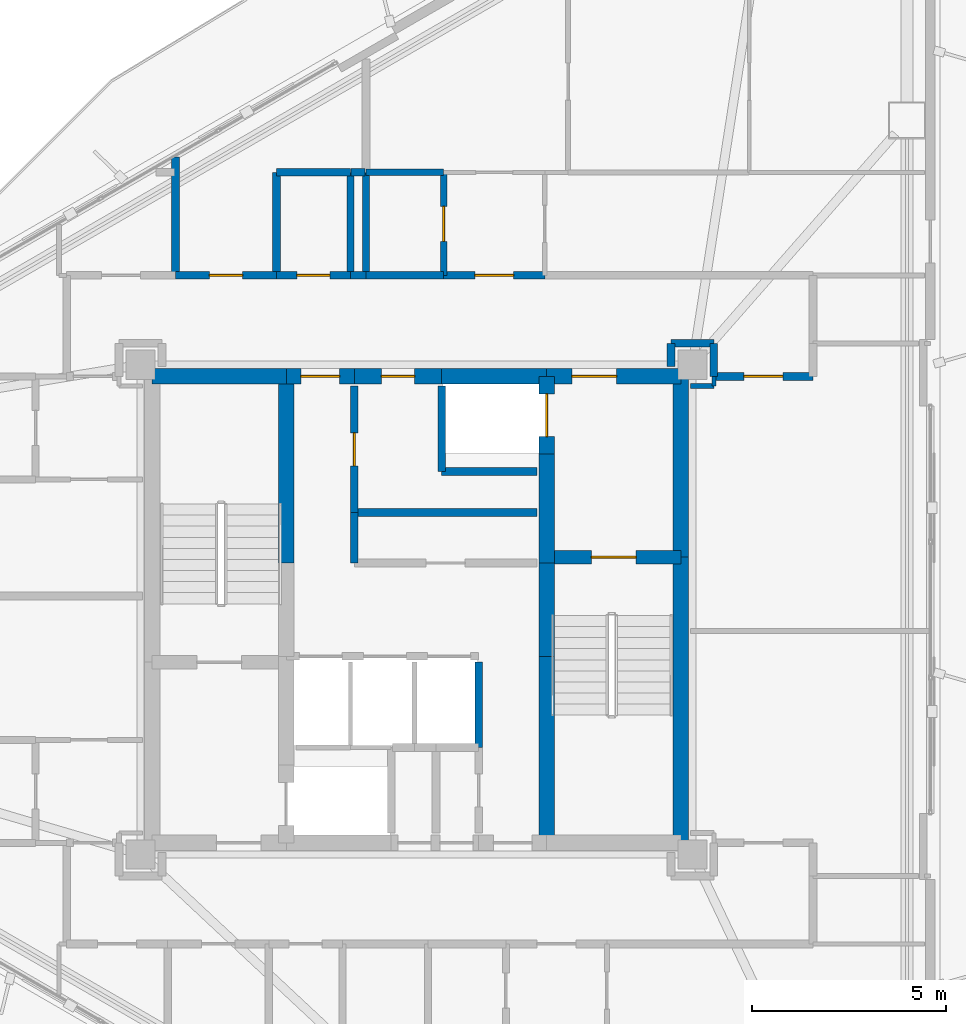
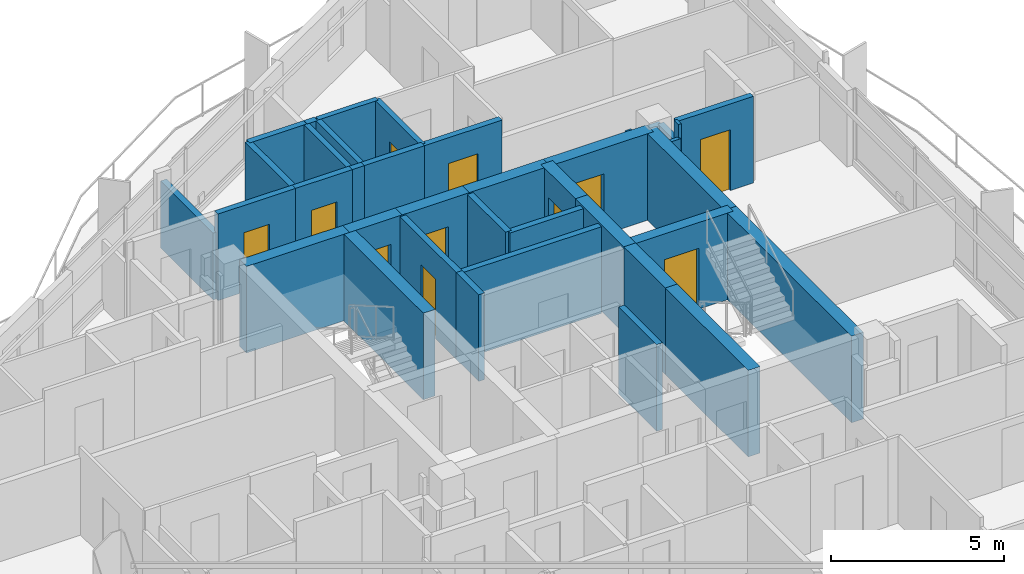
# One storey, part 15 of 19: 38 walls, 11 doors, 11 openings.
"""IFC4 building model written with IfcOpenShell, lengths in metres."""

from ifc_helpers import new_model, si_unit, direction, frame, frame_2d, origin, place, context, subcontext, project, spatial, rectangle, extrude, material, layer, layer_set, type_object, element, fill, save


model = new_model("IFC4")

# Units and contexts
model_context = context("Model", 3, precision=1e-05, world=origin(), true_north=direction((0.0, 1.0)))
body_context = subcontext(model_context, "Body", "Model", "MODEL_VIEW")
ifc_project = project(units=[si_unit("LENGTHUNIT", "METRE"), si_unit("AREAUNIT", "SQUARE_METRE"), si_unit("VOLUMEUNIT", "CUBIC_METRE"), si_unit("PLANEANGLEUNIT", "RADIAN"), si_unit("MASSUNIT", "GRAM", prefix="KILO")], contexts=[model_context])

# Site, building, storey
site_placement = place(None, origin())
site = spatial("IfcSite", under=ifc_project, at=site_placement, CompositionType="ELEMENT")
building_placement = place(site_placement, origin())
building = spatial("IfcBuilding", under=site, at=building_placement, Name="Mersakhor Tower and Convention Hall", CompositionType="ELEMENT")
storey_placement = place(building_placement, frame((0.0, 0.0, 144.300048828125)))
storey = spatial("IfcBuildingStorey", under=building, at=storey_placement, Name="L40", CompositionType="ELEMENT", Elevation=144.300048828125)

# Wall, opening, door
ifc_material_1 = material(Name="Moisture-resistant acoustic drywall studwork", Category="other")
ifc_layer_1 = layer(ifc_material_1, 0.175048828125)
ifc_layer_set_1 = layer_set([ifc_layer_1], Name="Moisture-resistant acoustic drywall studwork")
wall_type_1 = type_object("IfcWallType", Name="WL-PLM-175", PredefinedType="PLUMBINGWALL", material=ifc_layer_set_1)
wall_1_placement = place(storey_placement, frame((29.699951171875, 35.35009765625, 0.0), z_axis=(0.0, 0.0, 1.0), x_axis=(0.0, 1.0, 0.0)))
wall_1 = element("IfcWall", 1, at=wall_1_placement, inside=storey, type_object=wall_type_1, Name="L40 Interior Partition Wall P-054", PredefinedType="PLUMBINGWALL", context=body_context, shape_type="SweptSolid", body=[
    extrude(rectangle(XDim=2.64990234375, YDim=0.175048828125, at=frame_2d((1.324951171875, 0.0))), origin(), (0.0, 0.0, 1.0), 3.06005859375),
])
opening_1_placement = place(wall_1_placement, frame((0.875, 0.0, 0.0)))
opening_1 = element("IfcOpeningElement", 2, at=opening_1_placement, cuts=wall_1, Name="Opening WD-01", PredefinedType="OPENING", context=body_context, shape_type="SweptSolid", body=[
    extrude(rectangle(XDim=0.89990234375, YDim=2.10009765625, at=frame_2d((0.449951171875, 1.050048828125))), frame((0.0, 0.097412109375, 0.0), z_axis=(0.0, -1.0, 0.0), x_axis=(1.0, 0.0, 0.0)), (0.0, 0.0, 1.0), 0.195068359375),
])
ifc_material_2 = material(Name="Solid-core hardwood leaf in painted steel frame", Category="steel")
door_type_1 = type_object("IfcDoorType", Name="DR-INT-WET-090x210", OperationType="NOTDEFINED", PredefinedType="DOOR", material=ifc_material_2)
door_1_placement = place(opening_1_placement, origin())
door_1 = element("IfcDoor", 3, at=door_1_placement, inside=storey, type_object=door_type_1, Name="L40 L40 Flat N2 Apartment Hall to L40 Flat N2 Bathroom Door", OperationType="SINGLE_SWING_RIGHT", OverallHeight=2.10009765625, OverallWidth=0.89990234375, PredefinedType="DOOR", context=body_context, shape_type="SweptSolid", body=[
    extrude(rectangle(XDim=0.89990234375, YDim=2.10009765625, at=frame_2d((0.449951171875, 1.050048828125))), frame((0.0, 0.02490234375, 0.0), z_axis=(0.0, -1.0, 0.0), x_axis=(1.0, 0.0, 0.0)), (0.0, 0.0, 1.0), 0.050048828125),
])
fill(opening_1, door_1)

# Walls
wall_2_placement = place(storey_placement, frame((27.300048828125, 38.0, 0.0), z_axis=(0.0, 0.0, 1.0), x_axis=(0.0, -1.0, 0.0)))
element("IfcWall", 4, at=wall_2_placement, inside=storey, type_object=wall_type_1, Name="L40 Interior Partition Wall P-069", PredefinedType="PLUMBINGWALL", context=body_context, shape_type="SweptSolid", body=[
    extrude(rectangle(XDim=2.64990234375, YDim=0.175048828125, at=frame_2d((1.324951171875, 0.0))), origin(), (0.0, 0.0, 1.0), 3.06005859375),
])
wall_3_placement = place(storey_placement, frame((27.699951171875, 38.0, 0.0), z_axis=(0.0, 0.0, 1.0), x_axis=(1.0, 0.0, 0.0)))
element("IfcWall", 5, at=wall_3_placement, inside=storey, type_object=wall_type_1, Name="L40 Interior Partition Wall P-071", PredefinedType="PLUMBINGWALL", context=body_context, shape_type="SweptSolid", body=[
    extrude(rectangle(XDim=2.0, YDim=0.175048828125, at=frame_2d((1.0, 0.0))), origin(), (0.0, 0.0, 1.0), 3.06005859375),
])
wall_4_placement = place(storey_placement, frame((27.699951171875, 35.35009765625, 0.0), z_axis=(0.0, 0.0, 1.0), x_axis=(0.0, 1.0, 0.0)))
element("IfcWall", 6, at=wall_4_placement, inside=storey, type_object=wall_type_1, Name="L40 Interior Partition Wall P-072", PredefinedType="PLUMBINGWALL", context=body_context, shape_type="SweptSolid", body=[
    extrude(rectangle(XDim=2.64990234375, YDim=0.175048828125, at=frame_2d((1.324951171875, 0.0))), origin(), (0.0, 0.0, 1.0), 3.06005859375),
])
ifc_material_3 = material(Name="Lightweight gypsum partition", Category="other")
ifc_layer_2 = layer(ifc_material_3, 0.10009765625)
ifc_layer_set_2 = layer_set([ifc_layer_2], Name="Lightweight gypsum partition")
wall_type_2 = type_object("IfcWallType", Name="WL-PRT-100", PredefinedType="PARTITIONING", material=ifc_layer_set_2)
wall_5_placement = place(storey_placement, frame((36.64990234375, 32.5, 0.0), z_axis=(0.0, 0.0, 1.0), x_axis=(0.0, 1.0, 0.0)))
element("IfcWall", 7, at=wall_5_placement, inside=storey, type_object=wall_type_2, Name="L40 Interior Partition Wall P-100", PredefinedType="PARTITIONING", context=body_context, shape_type="SweptSolid", body=[
    extrude(rectangle(XDim=0.25, YDim=0.10009765625, at=frame_2d((0.125, 0.0))), origin(), (0.0, 0.0, 1.0), 3.06005859375),
])
ifc_material_4 = material(Name="Gypsum board acoustic partition", Category="other")
ifc_layer_3 = layer(ifc_material_4, 0.125)
ifc_layer_set_3 = layer_set([ifc_layer_3], Name="Gypsum board acoustic partition")
wall_type_3 = type_object("IfcWallType", Name="WL-PRT-125", PredefinedType="PARTITIONING", material=ifc_layer_set_3)
wall_6_placement = place(storey_placement, frame((36.050048828125, 32.5, 0.0), z_axis=(0.0, 0.0, 1.0), x_axis=(1.0, 0.0, 0.0)))
element("IfcWall", 8, at=wall_6_placement, inside=storey, type_object=wall_type_3, Name="L40 Interior Partition Wall P-099", PredefinedType="PARTITIONING", context=body_context, shape_type="SweptSolid", body=[
    extrude(rectangle(XDim=0.599853515625, YDim=0.125, at=frame_2d((0.2998046875, 0.0))), origin(), (0.0, 0.0, 1.0), 2.5849609375),
])
ifc_material_5 = material(Name="Acoustic concrete blockwork and gypsum board", Category="masonry")
ifc_layer_4 = layer(ifc_material_5, 0.199951171875)
ifc_layer_set_4 = layer_set([ifc_layer_4], Name="Acoustic concrete blockwork and gypsum board")
wall_type_4 = type_object("IfcWallType", Name="WL-PRT-200", PredefinedType="PARTITIONING", material=ifc_layer_set_4)
wall_7_placement = place(storey_placement, frame((32.10009765625, 30.300048828125, 0.0), z_axis=(0.0, 0.0, 1.0), x_axis=(-1.0, 0.0, 0.0)))
element("IfcWall", 9, at=wall_7_placement, inside=storey, type_object=wall_type_4, Name="L40 Interior Partition Wall P-004", PredefinedType="PARTITIONING", context=body_context, shape_type="SweptSolid", body=[
    extrude(rectangle(XDim=2.4501953125, YDim=0.199951171875, at=frame_2d((1.22509765625, 0.0))), origin(), (0.0, 0.0, 1.0), 3.06005859375),
])
for number, where, z_axis, x_axis, name in (
    (10, (29.64990234375, 30.300048828125, 0.0), (0.0, 0.0, 1.0), (0.0, 1.0, 0.0), "L40 Interior Partition Wall P-005"),
    (11, (30.60009765625, 25.39990234375, 0.0), (0.0, 0.0, 1.0), (0.0, -1.0, 0.0), "L40 Interior Partition Wall P-009"),
):
    element("IfcWall", number, at=place(storey_placement, frame(where, z_axis=z_axis, x_axis=x_axis)), inside=storey, type_object=wall_type_4, Name=name, PredefinedType="PARTITIONING", context=body_context, shape_type="SweptSolid", body=[
        extrude(rectangle(XDim=2.199951171875, YDim=0.199951171875, at=frame_2d((1.10009765625, 0.0))), origin(), (0.0, 0.0, 1.0), 3.06005859375),
    ])

# Wall, opening, door
wall_8_placement = place(storey_placement, frame((27.39990234375, 32.5, 0.0), z_axis=(0.0, 0.0, 1.0), x_axis=(0.0, -1.0, 0.0)))
wall_8 = element("IfcWall", 12, at=wall_8_placement, inside=storey, type_object=wall_type_4, Name="L40 Interior Partition Wall P-013", PredefinedType="PARTITIONING", context=body_context, shape_type="SweptSolid", body=[
    extrude(rectangle(XDim=3.25, YDim=0.199951171875, at=frame_2d((1.625, 0.0))), origin(), (0.0, 0.0, 1.0), 3.06005859375),
])
opening_2_placement = place(wall_8_placement, frame((1.199951171875, 0.0, 0.0)))
opening_2 = element("IfcOpeningElement", 13, at=opening_2_placement, cuts=wall_8, Name="Opening SVD-01", PredefinedType="OPENING", context=body_context, shape_type="SweptSolid", body=[
    extrude(rectangle(XDim=0.85009765625, YDim=2.10009765625, at=frame_2d((0.425048828125, 1.050048828125))), frame((0.0, 0.10986328125, 0.0), z_axis=(0.0, -1.0, 0.0), x_axis=(1.0, 0.0, 0.0)), (0.0, 0.0, 1.0), 0.219970703125),
])
ifc_material_6 = material(Name="Fire-rated hardwood leaf and painted steel frame", Category="steel")
door_type_2 = type_object("IfcDoorType", Name="DR-INT-SVC-085x210", OperationType="NOTDEFINED", PredefinedType="DOOR", material=ifc_material_6)
door_2_placement = place(opening_2_placement, origin())
door_2 = element("IfcDoor", 14, at=door_2_placement, inside=storey, type_object=door_type_2, Name="L40 Central Passenger Lift Lobby to Resident Recycling and Utility Store Door", OperationType="SINGLE_SWING_RIGHT", OverallHeight=2.10009765625, OverallWidth=0.85009765625, PredefinedType="DOOR", context=body_context, shape_type="SweptSolid", body=[
    extrude(rectangle(XDim=0.85009765625, YDim=2.10009765625, at=frame_2d((0.425048828125, 1.050048828125))), frame((0.0, 0.02490234375, 0.0), z_axis=(0.0, -1.0, 0.0), x_axis=(1.0, 0.0, 0.0)), (0.0, 0.0, 1.0), 0.050048828125),
])
fill(opening_2, door_2)

# Walls
wall_9_placement = place(storey_placement, frame((27.39990234375, 29.25, 0.0), z_axis=(0.0, 0.0, 1.0), x_axis=(0.0, -1.0, 0.0)))
element("IfcWall", 15, at=wall_9_placement, inside=storey, type_object=wall_type_4, Name="L40 Interior Partition Wall P-014", PredefinedType="PARTITIONING", context=body_context, shape_type="SweptSolid", body=[
    extrude(rectangle(XDim=1.300048828125, YDim=0.199951171875, at=frame_2d((0.64990234375, 0.0))), origin(), (0.0, 0.0, 1.0), 3.06005859375),
])
wall_10_placement = place(storey_placement, frame((35.550048828125, 33.60009765625, 0.0), z_axis=(0.0, 0.0, 1.0), x_axis=(0.0, -1.0, 0.0)))
element("IfcWall", 16, at=wall_10_placement, inside=storey, type_object=wall_type_4, Name="L40 Interior Partition Wall P-016", PredefinedType="PARTITIONING", context=body_context, shape_type="SweptSolid", body=[
    extrude(rectangle(XDim=0.60009765625, YDim=0.199951171875, at=frame_2d((0.300048828125, 0.0))), origin(), (0.0, 0.0, 1.0), 2.5849609375),
])

# Wall, opening, door
wall_11_placement = place(storey_placement, frame((22.800048828125, 35.35009765625, 0.0), z_axis=(0.0, 0.0, 1.0), x_axis=(1.0, 0.0, 0.0)))
wall_11 = element("IfcWall", 17, at=wall_11_placement, inside=storey, type_object=wall_type_4, Name="L40 Interior Partition Wall P-023", PredefinedType="PARTITIONING", context=body_context, shape_type="SweptSolid", body=[
    extrude(rectangle(XDim=2.599853515625, YDim=0.199951171875, at=frame_2d((1.2998046875, 0.0))), origin(), (0.0, 0.0, 1.0), 3.06005859375),
])
opening_3_placement = place(wall_11_placement, frame((0.875, 0.0, 0.0)))
opening_3 = element("IfcOpeningElement", 18, at=opening_3_placement, cuts=wall_11, Name="Opening SVD-01", PredefinedType="OPENING", context=body_context, shape_type="SweptSolid", body=[
    extrude(rectangle(XDim=0.85009765625, YDim=2.10009765625, at=frame_2d((0.425048828125, 1.050048828125))), frame((0.0, 0.10986328125, 0.0), z_axis=(0.0, -1.0, 0.0), x_axis=(1.0, 0.0, 0.0)), (0.0, 0.0, 1.0), 0.219970703125),
])
door_3_placement = place(opening_3_placement, origin())
door_3 = element("IfcDoor", 19, at=door_3_placement, inside=storey, type_object=door_type_2, Name="L40 Residential North Gallery Corridor to L40 Floor Household Store Room 1-1 Door", OperationType="SINGLE_SWING_RIGHT", OverallHeight=2.10009765625, OverallWidth=0.85009765625, PredefinedType="DOOR", context=body_context, shape_type="SweptSolid", body=[
    extrude(rectangle(XDim=0.85009765625, YDim=2.10009765625, at=frame_2d((0.425048828125, 1.050048828125))), frame((0.0, 0.02490234375, 0.0), z_axis=(0.0, -1.0, 0.0), x_axis=(1.0, 0.0, 0.0)), (0.0, 0.0, 1.0), 0.050048828125),
])
fill(opening_3, door_3)

wall_12_placement = place(storey_placement, frame((25.39990234375, 35.35009765625, 0.0), z_axis=(0.0, 0.0, 1.0), x_axis=(1.0, 0.0, 0.0)))
wall_12 = element("IfcWall", 20, at=wall_12_placement, inside=storey, type_object=wall_type_4, Name="L40 Interior Partition Wall P-024", PredefinedType="PARTITIONING", context=body_context, shape_type="SweptSolid", body=[
    extrude(rectangle(XDim=1.900146484375, YDim=0.199951171875, at=frame_2d((0.9501953125, 0.0))), origin(), (0.0, 0.0, 1.0), 3.06005859375),
])
opening_4_placement = place(wall_12_placement, frame((0.52490234375, 0.0, 0.0)))
opening_4 = element("IfcOpeningElement", 21, at=opening_4_placement, cuts=wall_12, Name="Opening SVD-01", PredefinedType="OPENING", context=body_context, shape_type="SweptSolid", body=[
    extrude(rectangle(XDim=0.85009765625, YDim=2.10009765625, at=frame_2d((0.425048828125, 1.050048828125))), frame((0.0, 0.10986328125, 0.0), z_axis=(0.0, -1.0, 0.0), x_axis=(1.0, 0.0, 0.0)), (0.0, 0.0, 1.0), 0.219970703125),
])
door_4_placement = place(opening_4_placement, origin())
door_4 = element("IfcDoor", 22, at=door_4_placement, inside=storey, type_object=door_type_2, Name="L40 Residential North Gallery Corridor to L40 Floor Shared Restroom WC 1-2 Door", OperationType="SINGLE_SWING_LEFT", OverallHeight=2.10009765625, OverallWidth=0.85009765625, PredefinedType="DOOR", context=body_context, shape_type="SweptSolid", body=[
    extrude(rectangle(XDim=0.85009765625, YDim=2.10009765625, at=frame_2d((0.425048828125, 1.050048828125))), frame((0.0, 0.02490234375, 0.0), z_axis=(0.0, -1.0, 0.0), x_axis=(1.0, 0.0, 0.0)), (0.0, 0.0, 1.0), 0.050048828125),
])
fill(opening_4, door_4)

# Walls
wall_13_placement = place(storey_placement, frame((27.300048828125, 35.35009765625, 0.0), z_axis=(0.0, 0.0, 1.0), x_axis=(1.0, 0.0, 0.0)))
element("IfcWall", 23, at=wall_13_placement, inside=storey, type_object=wall_type_4, Name="L40 Interior Partition Wall P-025", PredefinedType="PARTITIONING", context=body_context, shape_type="SweptSolid", body=[
    extrude(rectangle(XDim=0.39990234375, YDim=0.199951171875, at=frame_2d((0.199951171875, 0.0))), origin(), (0.0, 0.0, 1.0), 3.06005859375),
])
wall_14_placement = place(storey_placement, frame((27.699951171875, 35.35009765625, 0.0), z_axis=(0.0, 0.0, 1.0), x_axis=(1.0, 0.0, 0.0)))
element("IfcWall", 24, at=wall_14_placement, inside=storey, type_object=wall_type_4, Name="L40 Interior Partition Wall P-026", PredefinedType="PARTITIONING", context=body_context, shape_type="SweptSolid", body=[
    extrude(rectangle(XDim=2.0, YDim=0.199951171875, at=frame_2d((1.0, 0.0))), origin(), (0.0, 0.0, 1.0), 3.06005859375),
])

# Wall, opening, door
wall_15_placement = place(storey_placement, frame((29.699951171875, 35.35009765625, 0.0), z_axis=(0.0, 0.0, 1.0), x_axis=(1.0, 0.0, 0.0)))
wall_15 = element("IfcWall", 25, at=wall_15_placement, inside=storey, type_object=wall_type_4, Name="L40 Interior Partition Wall P-027", PredefinedType="PARTITIONING", context=body_context, shape_type="SweptSolid", body=[
    extrude(rectangle(XDim=2.60009765625, YDim=0.199951171875, at=frame_2d((1.300048828125, 0.0))), origin(), (0.0, 0.0, 1.0), 3.06005859375),
])
opening_5_placement = place(wall_15_placement, frame((0.800048828125, 0.0, 0.0)))
opening_5 = element("IfcOpeningElement", 26, at=opening_5_placement, cuts=wall_15, Name="Opening FD-01", PredefinedType="OPENING", context=body_context, shape_type="SweptSolid", body=[
    extrude(rectangle(XDim=1.0, YDim=2.14990234375, at=frame_2d((0.5, 1.074951171875))), frame((0.0, 0.10986328125, 0.0), z_axis=(0.0, -1.0, 0.0), x_axis=(1.0, 0.0, 0.0)), (0.0, 0.0, 1.0), 0.219970703125),
])
ifc_material_7 = material(Name="Fire-rated hardwood leaf and painted steel frame", Category="steel")
door_type_3 = type_object("IfcDoorType", Name="DR-INT-FLT-100x215", OperationType="NOTDEFINED", PredefinedType="DOOR", material=ifc_material_7)
door_5_placement = place(opening_5_placement, origin())
door_5 = element("IfcDoor", 27, at=door_5_placement, inside=storey, type_object=door_type_3, Name="L40 Apartment Entrance Door (Residential North Gallery Corridor to L40 Flat N2 Apartment Hall)", OperationType="SINGLE_SWING_LEFT", OverallHeight=2.14990234375, OverallWidth=1.0, PredefinedType="DOOR", context=body_context, shape_type="SweptSolid", body=[
    extrude(rectangle(XDim=1.0, YDim=2.14990234375, at=frame_2d((0.5, 1.074951171875))), frame((0.0, 0.02490234375, 0.0), z_axis=(0.0, -1.0, 0.0), x_axis=(1.0, 0.0, 0.0)), (0.0, 0.0, 1.0), 0.050048828125),
])
fill(opening_5, door_5)

wall_16_placement = place(storey_placement, frame((39.199951171875, 32.75, 0.0), z_axis=(0.0, 0.0, 1.0), x_axis=(-1.0, 0.0, 0.0)))
wall_16 = element("IfcWall", 28, at=wall_16_placement, inside=storey, type_object=wall_type_4, Name="L40 Interior Partition Wall P-031", PredefinedType="PARTITIONING", context=body_context, shape_type="SweptSolid", body=[
    extrude(rectangle(XDim=2.550048828125, YDim=0.199951171875, at=frame_2d((1.27490234375, 0.0))), origin(), (0.0, 0.0, 1.0), 3.06005859375),
])
opening_6_placement = place(wall_16_placement, frame((0.77490234375, 0.0, 0.0)))
opening_6 = element("IfcOpeningElement", 29, at=opening_6_placement, cuts=wall_16, Name="Opening FD-01", PredefinedType="OPENING", context=body_context, shape_type="SweptSolid", body=[
    extrude(rectangle(XDim=1.0, YDim=2.14990234375, at=frame_2d((0.5, 1.074951171875))), frame((0.0, 0.10986328125, 0.0), z_axis=(0.0, -1.0, 0.0), x_axis=(1.0, 0.0, 0.0)), (0.0, 0.0, 1.0), 0.219970703125),
])
door_6_placement = place(opening_6_placement, origin())
door_6 = element("IfcDoor", 30, at=door_6_placement, inside=storey, type_object=door_type_3, Name="L40 Residential North Gallery Corridor to L40 East Wing Co-Working Office Door", OperationType="SINGLE_SWING_LEFT", OverallHeight=2.14990234375, OverallWidth=1.0, PredefinedType="DOOR", context=body_context, shape_type="SweptSolid", body=[
    extrude(rectangle(XDim=1.0, YDim=2.14990234375, at=frame_2d((0.5, 1.074951171875))), frame((0.0, 0.02490234375, 0.0), z_axis=(0.0, -1.0, 0.0), x_axis=(1.0, 0.0, 0.0)), (0.0, 0.0, 1.0), 0.050048828125),
])
fill(opening_6, door_6)

# Walls
wall_17_placement = place(storey_placement, frame((36.64990234375, 32.75, 0.0), z_axis=(0.0, 0.0, 1.0), x_axis=(0.0, 1.0, 0.0)))
element("IfcWall", 31, at=wall_17_placement, inside=storey, type_object=wall_type_4, Name="L40 Interior Partition Wall P-032", PredefinedType="PARTITIONING", context=body_context, shape_type="SweptSolid", body=[
    extrude(rectangle(XDim=0.85009765625, YDim=0.199951171875, at=frame_2d((0.425048828125, 0.0))), origin(), (0.0, 0.0, 1.0), 2.432861328125),
])
wall_18_placement = place(storey_placement, frame((36.64990234375, 33.60009765625, 0.0), z_axis=(0.0, 0.0, 1.0), x_axis=(-1.0, 0.0, 0.0)))
element("IfcWall", 32, at=wall_18_placement, inside=storey, type_object=wall_type_4, Name="L40 Interior Partition Wall P-033", PredefinedType="PARTITIONING", context=body_context, shape_type="SweptSolid", body=[
    extrude(rectangle(XDim=1.099853515625, YDim=0.199951171875, at=frame_2d((0.5498046875, 0.0))), origin(), (0.0, 0.0, 1.0), 2.432861328125),
])
wall_19_placement = place(storey_placement, frame((25.39990234375, 38.0, 0.0), z_axis=(0.0, 0.0, 1.0), x_axis=(1.0, 0.0, 0.0)))
element("IfcWall", 33, at=wall_19_placement, inside=storey, type_object=wall_type_4, Name="L40 Interior Partition Wall P-068", PredefinedType="PARTITIONING", context=body_context, shape_type="SweptSolid", body=[
    extrude(rectangle(XDim=1.900146484375, YDim=0.199951171875, at=frame_2d((0.9501953125, 0.0))), origin(), (0.0, 0.0, 1.0), 3.06005859375),
])
wall_20_placement = place(storey_placement, frame((25.39990234375, 35.35009765625, 0.0), z_axis=(0.0, 0.0, 1.0), x_axis=(0.0, 1.0, 0.0)))
element("IfcWall", 34, at=wall_20_placement, inside=storey, type_object=wall_type_4, Name="L40 Interior Partition Wall P-070", PredefinedType="PARTITIONING", context=body_context, shape_type="SweptSolid", body=[
    extrude(rectangle(XDim=2.64990234375, YDim=0.199951171875, at=frame_2d((1.324951171875, 0.0))), origin(), (0.0, 0.0, 1.0), 3.06005859375),
])
wall_21_placement = place(storey_placement, frame((32.10009765625, 29.25, 0.0), z_axis=(0.0, 0.0, 1.0), x_axis=(-1.0, 0.0, 0.0)))
element("IfcWall", 35, at=wall_21_placement, inside=storey, type_object=wall_type_4, Name="L40 Interior Partition Wall P-097", PredefinedType="PARTITIONING", context=body_context, shape_type="SweptSolid", body=[
    extrude(rectangle(XDim=4.7001953125, YDim=0.199951171875, at=frame_2d((2.35009765625, 0.0))), origin(), (0.0, 0.0, 1.0), 3.06005859375),
])
wall_22_placement = place(storey_placement, frame((27.669921875, 38.0, 0.0), z_axis=(0.0, 0.0, 1.0), x_axis=(-1.0, 0.0, 0.0)))
element("IfcWall", 36, at=wall_22_placement, inside=storey, type_object=wall_type_4, Name="L40 Interior Partition Wall P-109", PredefinedType="PARTITIONING", context=body_context, shape_type="SweptSolid", body=[
    extrude(rectangle(XDim=0.35498046875, YDim=0.199951171875, at=frame_2d((0.177490234375, 0.0))), origin(), (0.0, 0.0, 1.0), 3.06005859375),
])
wall_23_placement = place(storey_placement, frame((22.800048828125, 35.35009765625, 0.0), z_axis=(0.0, 0.0, 1.0), x_axis=(0.0, 1.0, 0.0)))
element("IfcWall", 37, at=wall_23_placement, inside=storey, type_object=wall_type_4, Name="L40 Interior Partition Wall P-110", PredefinedType="PARTITIONING", context=body_context, shape_type="SweptSolid", body=[
    extrude(rectangle(XDim=3.04052734375, YDim=0.199951171875, at=frame_2d((1.520263671875, 0.0))), origin(), (0.0, 0.0, 1.0), 2.364990234375),
])

# Wall, opening, door
ifc_material_8 = material(Name="Concrete C50/60", Category="concrete")
ifc_layer_5 = layer(ifc_material_8, 0.35009765625)
ifc_layer_set_5 = layer_set([ifc_layer_5], Name="Concrete C50/60")
wall_type_5 = type_object("IfcWallType", Name="WL-SHR-350", PredefinedType="SHEAR", material=ifc_layer_set_5)
wall_24_placement = place(storey_placement, frame((32.35009765625, 28.10009765625, 0.0), z_axis=(0.0, 0.0, 1.0), x_axis=(1.0, 0.0, 0.0)))
wall_24 = element("IfcWall", 38, at=wall_24_placement, inside=storey, type_object=wall_type_5, Name="L40 Core Wall CS-ST2-N", PredefinedType="SHEAR", context=body_context, shape_type="SweptSolid", body=[
    extrude(rectangle(XDim=3.449951171875, YDim=0.35009765625, at=frame_2d((1.72509765625, 0.0))), origin(), (0.0, 0.0, 1.0), 3.06005859375),
])
opening_7_placement = place(wall_24_placement, frame((1.14990234375, 0.0, 0.0)))
opening_7 = element("IfcOpeningElement", 39, at=opening_7_placement, cuts=wall_24, Name="Opening SD-01", PredefinedType="OPENING", context=body_context, shape_type="SweptSolid", body=[
    extrude(rectangle(XDim=1.14990234375, YDim=2.14990234375, at=frame_2d((0.574951171875, 1.074951171875))), frame((0.0, 0.18505859375, 0.0), z_axis=(0.0, -1.0, 0.0), x_axis=(1.0, 0.0, 0.0)), (0.0, 0.0, 1.0), 0.3701171875),
])
ifc_material_9 = material(Name="Fire-rated hardwood leaf and painted steel frame", Category="steel")
door_type_4 = type_object("IfcDoorType", Name="DR-INT-STAIR-115x215", OperationType="NOTDEFINED", PredefinedType="DOOR", material=ifc_material_9)
door_7_placement = place(opening_7_placement, origin())
door_7 = element("IfcDoor", 40, at=door_7_placement, inside=storey, type_object=door_type_4, Name="L40 Exit Stair ST-2 Enclosure Door", OperationType="SINGLE_SWING_RIGHT", OverallHeight=2.14990234375, OverallWidth=1.14990234375, PredefinedType="DOOR", context=body_context, shape_type="SweptSolid", body=[
    extrude(rectangle(XDim=1.14990234375, YDim=2.14990234375, at=frame_2d((0.574951171875, 1.074951171875))), frame((0.0, 0.02490234375, 0.0), z_axis=(0.0, -1.0, 0.0), x_axis=(1.0, 0.0, 0.0)), (0.0, 0.0, 1.0), 0.050048828125),
])
fill(opening_7, door_7)

# Wall
ifc_material_10 = material(Name="Concrete C60/75", Category="concrete")
ifc_layer_6 = layer(ifc_material_10, 0.39990234375)
ifc_layer_set_6 = layer_set([ifc_layer_6], Name="Concrete C60/75")
wall_type_6 = type_object("IfcWallType", Name="WL-SHR-400", PredefinedType="SHEAR", material=ifc_layer_set_6)
wall_25_placement = place(storey_placement, frame((22.199951171875, 32.75, 0.0), z_axis=(0.0, 0.0, 1.0), x_axis=(1.0, 0.0, 0.0)))
element("IfcWall", 41, at=wall_25_placement, inside=storey, type_object=wall_type_6, Name="L40 Core Wall CW-N1", PredefinedType="SHEAR", context=body_context, shape_type="SweptSolid", body=[
    extrude(rectangle(XDim=3.449951171875, YDim=0.39990234375, at=frame_2d((1.72509765625, 0.0))), origin(), (0.0, 0.0, 1.0), 3.06005859375),
])

# Wall, opening, door
wall_26_placement = place(storey_placement, frame((25.64990234375, 32.75, 0.0), z_axis=(0.0, 0.0, 1.0), x_axis=(1.0, 0.0, 0.0)))
wall_26 = element("IfcWall", 42, at=wall_26_placement, inside=storey, type_object=wall_type_6, Name="L40 Core Wall CW-N2A", PredefinedType="SHEAR", context=body_context, shape_type="SweptSolid", body=[
    extrude(rectangle(XDim=1.75, YDim=0.39990234375, at=frame_2d((0.875, 0.0))), origin(), (0.0, 0.0, 1.0), 3.06005859375),
])
opening_8_placement = place(wall_26_placement, frame((0.375, 0.0, 0.0)))
opening_8 = element("IfcOpeningElement", 43, at=opening_8_placement, cuts=wall_26, Name="Opening CFD-01", PredefinedType="OPENING", context=body_context, shape_type="SweptSolid", body=[
    extrude(rectangle(XDim=1.0, YDim=2.14990234375, at=frame_2d((0.5, 1.074951171875))), frame((0.0, 0.2099609375, 0.0), z_axis=(0.0, -1.0, 0.0), x_axis=(1.0, 0.0, 0.0)), (0.0, 0.0, 1.0), 0.419921875),
])
ifc_material_11 = material(Name="Fire-rated hardwood leaf and painted steel frame", Category="steel")
door_type_5 = type_object("IfcDoorType", Name="DR-CORE-FD-100x215", OperationType="NOTDEFINED", PredefinedType="DOOR", material=ifc_material_11)
door_8_placement = place(opening_8_placement, origin())
door_8 = element("IfcDoor", 44, at=door_8_placement, inside=storey, type_object=door_type_5, Name="L40 Lift Lobby North Corridor Door", OperationType="SINGLE_SWING_LEFT", OverallHeight=2.14990234375, OverallWidth=1.0, PredefinedType="DOOR", context=body_context, shape_type="SweptSolid", body=[
    extrude(rectangle(XDim=1.0, YDim=2.14990234375, at=frame_2d((0.5, 1.074951171875))), frame((0.0, 0.02490234375, 0.0), z_axis=(0.0, -1.0, 0.0), x_axis=(1.0, 0.0, 0.0)), (0.0, 0.0, 1.0), 0.050048828125),
])
fill(opening_8, door_8)

wall_27_placement = place(storey_placement, frame((27.39990234375, 32.75, 0.0), z_axis=(0.0, 0.0, 1.0), x_axis=(1.0, 0.0, 0.0)))
wall_27 = element("IfcWall", 45, at=wall_27_placement, inside=storey, type_object=wall_type_6, Name="L40 Core Wall CW-N2B", PredefinedType="SHEAR", context=body_context, shape_type="SweptSolid", body=[
    extrude(rectangle(XDim=2.25, YDim=0.39990234375, at=frame_2d((1.125, 0.0))), origin(), (0.0, 0.0, 1.0), 3.06005859375),
])
opening_9_placement = place(wall_27_placement, frame((0.699951171875, 0.0, 0.0)))
opening_9 = element("IfcOpeningElement", 46, at=opening_9_placement, cuts=wall_27, Name="Opening SVD-01", PredefinedType="OPENING", context=body_context, shape_type="SweptSolid", body=[
    extrude(rectangle(XDim=0.85009765625, YDim=2.10009765625, at=frame_2d((0.425048828125, 1.050048828125))), frame((0.0, 0.2099609375, 0.0), z_axis=(0.0, -1.0, 0.0), x_axis=(1.0, 0.0, 0.0)), (0.0, 0.0, 1.0), 0.419921875),
])
door_9_placement = place(opening_9_placement, origin())
door_9 = element("IfcDoor", 47, at=door_9_placement, inside=storey, type_object=door_type_2, Name="L40 Residential North Gallery Corridor to Resident Recycling and Utility Store Door", OperationType="SINGLE_SWING_RIGHT", OverallHeight=2.10009765625, OverallWidth=0.85009765625, PredefinedType="DOOR", context=body_context, shape_type="SweptSolid", body=[
    extrude(rectangle(XDim=0.85009765625, YDim=2.10009765625, at=frame_2d((0.425048828125, 1.050048828125))), frame((0.0, 0.02490234375, 0.0), z_axis=(0.0, -1.0, 0.0), x_axis=(1.0, 0.0, 0.0)), (0.0, 0.0, 1.0), 0.050048828125),
])
fill(opening_9, door_9)

# Wall
wall_28_placement = place(storey_placement, frame((29.64990234375, 32.75, 0.0), z_axis=(0.0, 0.0, 1.0), x_axis=(1.0, 0.0, 0.0)))
element("IfcWall", 48, at=wall_28_placement, inside=storey, type_object=wall_type_6, Name="L40 Core Wall CW-N3", PredefinedType="SHEAR", context=body_context, shape_type="SweptSolid", body=[
    extrude(rectangle(XDim=2.7001953125, YDim=0.39990234375, at=frame_2d((1.35009765625, 0.0))), origin(), (0.0, 0.0, 1.0), 3.06005859375),
])

# Wall, opening, door
wall_29_placement = place(storey_placement, frame((32.35009765625, 32.75, 0.0), z_axis=(0.0, 0.0, 1.0), x_axis=(1.0, 0.0, 0.0)))
wall_29 = element("IfcWall", 49, at=wall_29_placement, inside=storey, type_object=wall_type_6, Name="L40 Core Wall CW-N4", PredefinedType="SHEAR", context=body_context, shape_type="SweptSolid", body=[
    extrude(rectangle(XDim=3.449951171875, YDim=0.39990234375, at=frame_2d((1.72509765625, 0.0))), origin(), (0.0, 0.0, 1.0), 3.06005859375),
])
opening_10_placement = place(wall_29_placement, frame((0.64990234375, 0.0, 0.0)))
opening_10 = element("IfcOpeningElement", 50, at=opening_10_placement, cuts=wall_29, Name="Opening SD-01", PredefinedType="OPENING", context=body_context, shape_type="SweptSolid", body=[
    extrude(rectangle(XDim=1.14990234375, YDim=2.14990234375, at=frame_2d((0.574951171875, 1.074951171875))), frame((0.0, 0.2099609375, 0.0), z_axis=(0.0, -1.0, 0.0), x_axis=(1.0, 0.0, 0.0)), (0.0, 0.0, 1.0), 0.419921875),
])
door_10_placement = place(opening_10_placement, origin())
door_10 = element("IfcDoor", 51, at=door_10_placement, inside=storey, type_object=door_type_4, Name="L40 Firefighting Lobby East Fire Door", OperationType="SINGLE_SWING_RIGHT", OverallHeight=2.14990234375, OverallWidth=1.14990234375, PredefinedType="DOOR", context=body_context, shape_type="SweptSolid", body=[
    extrude(rectangle(XDim=1.14990234375, YDim=2.14990234375, at=frame_2d((0.574951171875, 1.074951171875))), frame((0.0, 0.02490234375, 0.0), z_axis=(0.0, -1.0, 0.0), x_axis=(1.0, 0.0, 0.0)), (0.0, 0.0, 1.0), 0.050048828125),
])
fill(opening_10, door_10)

# Walls
wall_30_placement = place(storey_placement, frame((35.800048828125, 32.75, 0.0), z_axis=(0.0, 0.0, 1.0), x_axis=(0.0, -1.0, 0.0)))
element("IfcWall", 52, at=wall_30_placement, inside=storey, type_object=wall_type_6, Name="L40 Core Wall CW-E1", PredefinedType="SHEAR", context=body_context, shape_type="SweptSolid", body=[
    extrude(rectangle(XDim=4.64990234375, YDim=0.39990234375, at=frame_2d((2.324951171875, 0.0))), origin(), (0.0, 0.0, 1.0), 3.06005859375),
])
wall_31_placement = place(storey_placement, frame((35.800048828125, 28.10009765625, 0.0), z_axis=(0.0, 0.0, 1.0), x_axis=(0.0, -1.0, 0.0)))
element("IfcWall", 53, at=wall_31_placement, inside=storey, type_object=wall_type_6, Name="L40 Core Wall CW-E2", PredefinedType="SHEAR", context=body_context, shape_type="SweptSolid", body=[
    extrude(rectangle(XDim=7.35009765625, YDim=0.39990234375, at=frame_2d((3.675048828125, 0.0))), origin(), (0.0, 0.0, 1.0), 3.06005859375),
])
for number, where, z_axis, x_axis, name in (
    (54, (25.64990234375, 27.949951171875, 0.0), (0.0, 0.0, 1.0), (0.0, 1.0, 0.0), "L40 Core Wall CS-W-ST1"),
    (55, (32.35009765625, 20.75, 0.0), (0.0, 0.0, 1.0), (0.0, 1.0, 0.0), "L40 Core Wall CS-E-ST2"),
):
    element("IfcWall", number, at=place(storey_placement, frame(where, z_axis=z_axis, x_axis=x_axis)), inside=storey, type_object=wall_type_6, Name=name, PredefinedType="SHEAR", context=body_context, shape_type="SweptSolid", body=[
        extrude(rectangle(XDim=4.800048828125, YDim=0.39990234375, at=frame_2d((2.39990234375, 0.0))), origin(), (0.0, 0.0, 1.0), 3.06005859375),
    ])
wall_32_placement = place(storey_placement, frame((32.35009765625, 25.550048828125, 0.0), z_axis=(0.0, 0.0, 1.0), x_axis=(0.0, 1.0, 0.0)))
element("IfcWall", 56, at=wall_32_placement, inside=storey, type_object=wall_type_6, Name="L40 Core Wall CS-E-LOB", PredefinedType="SHEAR", context=body_context, shape_type="SweptSolid", body=[
    extrude(rectangle(XDim=2.39990234375, YDim=0.39990234375, at=frame_2d((1.199951171875, 0.0))), origin(), (0.0, 0.0, 1.0), 3.06005859375),
])
wall_33_placement = place(storey_placement, frame((32.35009765625, 27.949951171875, 0.0), z_axis=(0.0, 0.0, 1.0), x_axis=(0.0, 1.0, 0.0)))
element("IfcWall", 57, at=wall_33_placement, inside=storey, type_object=wall_type_6, Name="L40 Core Wall CS-E-MID", PredefinedType="SHEAR", context=body_context, shape_type="SweptSolid", body=[
    extrude(rectangle(XDim=2.800048828125, YDim=0.39990234375, at=frame_2d((1.39990234375, 0.0))), origin(), (0.0, 0.0, 1.0), 3.06005859375),
])

# Wall, opening, door
wall_34_placement = place(storey_placement, frame((32.35009765625, 30.75, 0.0), z_axis=(0.0, 0.0, 1.0), x_axis=(0.0, 1.0, 0.0)))
wall_34 = element("IfcWall", 58, at=wall_34_placement, inside=storey, type_object=wall_type_6, Name="L40 Core Wall CS-E-FFL", PredefinedType="SHEAR", context=body_context, shape_type="SweptSolid", body=[
    extrude(rectangle(XDim=2.0, YDim=0.39990234375, at=frame_2d((1.0, 0.0))), origin(), (0.0, 0.0, 1.0), 3.06005859375),
])
opening_11_placement = place(wall_34_placement, frame((0.449951171875, 0.0, 0.0)))
opening_11 = element("IfcOpeningElement", 59, at=opening_11_placement, cuts=wall_34, Name="Opening LD-FFL2", PredefinedType="OPENING", context=body_context, shape_type="SweptSolid", body=[
    extrude(rectangle(XDim=1.10009765625, YDim=2.14990234375, at=frame_2d((0.550048828125, 1.074951171875))), frame((0.0, 0.2099609375, 0.0), z_axis=(0.0, -1.0, 0.0), x_axis=(1.0, 0.0, 0.0)), (0.0, 0.0, 1.0), 0.419921875),
])
ifc_material_12 = material(Name="Fire-rated brushed stainless steel sliding landing door", Category="steel")
door_type_6 = type_object("IfcDoorType", Name="DR-LIFT-SLD-110x215", OperationType="NOTDEFINED", PredefinedType="DOOR", material=ifc_material_12)
door_11_placement = place(opening_11_placement, origin())
door_11 = element("IfcDoor", 60, at=door_11_placement, inside=storey, type_object=door_type_6, Name="L40 Firefighting Lift Landing Door LD-FFL2", OperationType="SLIDING_TO_LEFT", OverallHeight=2.14990234375, OverallWidth=1.10009765625, PredefinedType="DOOR", context=body_context, shape_type="SweptSolid", body=[
    extrude(rectangle(XDim=1.10009765625, YDim=2.14990234375, at=frame_2d((0.550048828125, 1.074951171875))), frame((0.0, 0.02490234375, 0.0), z_axis=(0.0, -1.0, 0.0), x_axis=(1.0, 0.0, 0.0)), (0.0, 0.0, 1.0), 0.050048828125),
])
fill(opening_11, door_11)

save(model, "model.ifc")
